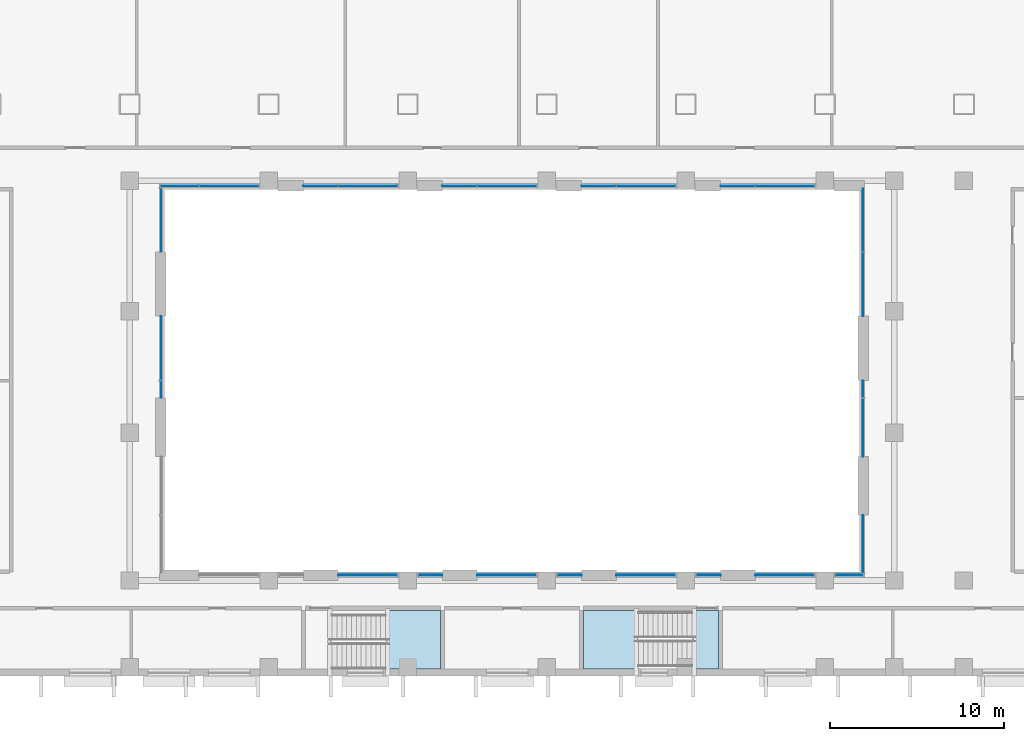
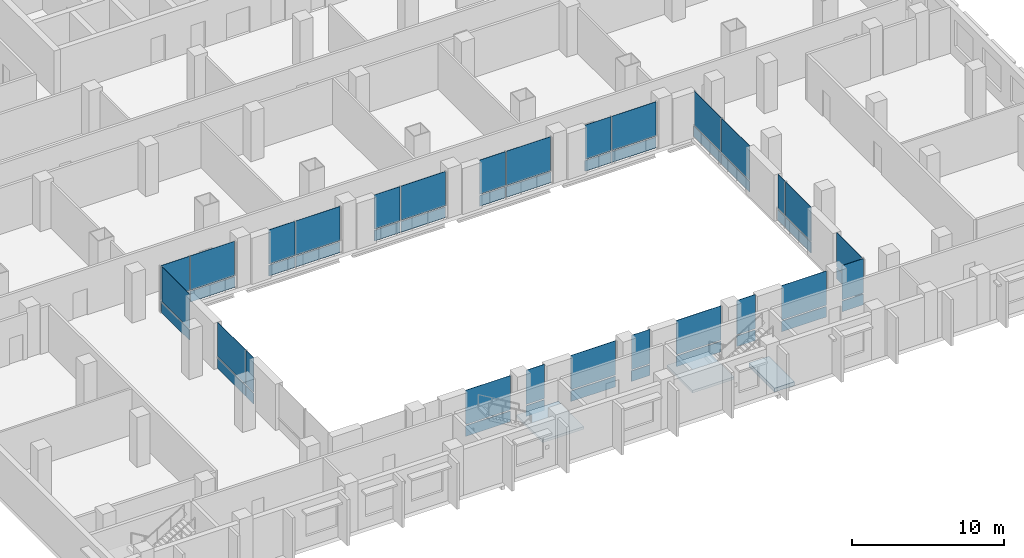
# One storey, part 6 of 25: 52 plates, 3 slabs, 20 elements without a shape of their own.
"""IFC4 building model written with IfcOpenShell, lengths in metres."""

import ifcopenshell
import ifcopenshell.guid

model = None  # the IFC model being written
_history = None  # IfcOwnerHistory: only IFC2X3 demands one
_inside = {}  # id of a spatial element -> (the spatial element, [elements in it])
_under = {}  # id of a project, library or spatial element -> (it, [spatial elements below it])
_declared = {}  # id of a project -> (the project, [libraries it declares])
_typed = {}  # id of a type object -> (the type object, [elements of that type])
_made_of = {}  # id of a material, layer set ... -> (it, [elements and type objects made of it])


def new_model(schema):
    """Start an empty IFC model of exactly this schema.

    Asked for "IFC4X3", IfcOpenShell would pick the latest addendum, in which some entities
    have other attributes; the version numbers below select the first issue.
    IFC2X3 requires an IfcOwnerHistory on every rooted entity: one is made here for all.
    """
    global model, _history
    if schema == "IFC4X3":
        model = ifcopenshell.file(schema_version=(4, 3, 0, 0))
    else:
        model = ifcopenshell.file(schema=schema)
    _inside.clear()
    _under.clear()
    _declared.clear()
    _typed.clear()
    _made_of.clear()
    _history = None
    if model.schema == "IFC2X3":
        org = make("IfcOrganization", Name="unknown")
        user = make(
            "IfcPersonAndOrganization",
            ThePerson=make("IfcPerson", FamilyName="unknown"),
            TheOrganization=org,
        )
        app = make(
            "IfcApplication",
            ApplicationDeveloper=org,
            Version="unknown",
            ApplicationFullName="unknown",
            ApplicationIdentifier="unknown",
        )
        _history = make(
            "IfcOwnerHistory",
            OwningUser=user,
            OwningApplication=app,
            ChangeAction="ADDED",
            CreationDate=0,
        )
    return model


def make(cls, **values):
    """One entity of the class cls with the attributes given. An attribute that is None is left unset."""
    return model.create_entity(
        cls, **{name: value for name, value in values.items() if value is not None}
    )


def rooted(cls, **values):
    """An entity with a GlobalId (a new one), such as an element, a storey or a relation."""
    return make(cls, GlobalId=ifcopenshell.guid.new(), OwnerHistory=_history, **values)


def si_unit(unit_type, name, prefix=None):
    """IfcSIUnit, for example si_unit("LENGTHUNIT", "METRE", prefix="MILLI")."""
    return make("IfcSIUnit", UnitType=unit_type, Prefix=prefix, Name=name)


def assignment(units):
    """IfcUnitAssignment: the units of a project."""
    return None if units is None else make("IfcUnitAssignment", Units=units)


def point(xyz):
    """IfcCartesianPoint."""
    return None if xyz is None else make("IfcCartesianPoint", Coordinates=xyz)


def direction(xyz):
    """IfcDirection."""
    return None if xyz is None else make("IfcDirection", DirectionRatios=xyz)


def frame(location, z_axis=None, x_axis=None):
    """IfcAxis2Placement3D, a coordinate frame: its origin and axes. An axis left out is left unset."""
    return make(
        "IfcAxis2Placement3D",
        Location=point(location),
        Axis=direction(z_axis),
        RefDirection=direction(x_axis),
    )


def frame_2d(location, x_axis=None):
    """IfcAxis2Placement2D, a coordinate frame in the plane: its origin and x axis."""
    return make(
        "IfcAxis2Placement2D", Location=point(location), RefDirection=direction(x_axis)
    )


def origin():
    """The frame at (0, 0, 0) with its axes left unset."""
    return frame((0.0, 0.0, 0.0))


def origin_2d():
    """The frame at (0, 0) in the plane with its x axis left unset."""
    return frame_2d((0.0, 0.0))


def place(relative_to, where):
    """IfcLocalPlacement: puts the frame where relative to a parent placement (None: the world)."""
    return make(
        "IfcLocalPlacement", PlacementRelTo=relative_to, RelativePlacement=where
    )


def context(
    kind, dimensions, precision=None, world=None, true_north=None, identifier=None
):
    """IfcGeometricRepresentationContext, for example the 3D "Model" context."""
    return make(
        "IfcGeometricRepresentationContext",
        ContextIdentifier=identifier,
        ContextType=kind,
        CoordinateSpaceDimension=dimensions,
        Precision=precision,
        WorldCoordinateSystem=world,
        TrueNorth=true_north,
    )


def subcontext(parent, identifier, kind, view, scale=None):
    """IfcGeometricRepresentationSubContext, for example "Body" below "Model"."""
    return make(
        "IfcGeometricRepresentationSubContext",
        ContextIdentifier=identifier,
        ContextType=kind,
        ParentContext=parent,
        TargetScale=scale,
        TargetView=view,
    )


def project(units=None, contexts=None):
    """IfcProject with its units and contexts."""
    return rooted(
        "IfcProject",
        Name="project",
        RepresentationContexts=contexts,
        UnitsInContext=assignment(units),
    )


def spatial(cls, under=None, at=None, **own):
    """A site, building, storey or space (cls), placed at a placement, below another one or the project."""
    s = rooted(cls, ObjectPlacement=at, **own)
    if under is not None:
        _under.setdefault(under.id(), (under, []))[1].append(s)
    return s


def polyline(points):
    """IfcPolyline through the points."""
    return make("IfcPolyline", Points=[point(p) for p in points])


def profile(cls, at=None, kind="AREA", **sizes):
    """A parametric profile (cls). Its sizes go by their IFC names, for example OverallWidth=200.0."""
    return make(cls, ProfileType=kind, Position=at, **sizes)


def rectangle(**sizes):
    """IfcRectangleProfileDef."""
    return profile("IfcRectangleProfileDef", **sizes)


def outline(outer, holes=None, kind="AREA"):
    """IfcArbitraryClosedProfileDef: a profile drawn as a closed curve; with holes, ...WithVoids."""
    if holes is None:
        return make("IfcArbitraryClosedProfileDef", ProfileType=kind, OuterCurve=outer)
    return make(
        "IfcArbitraryProfileDefWithVoids",
        ProfileType=kind,
        OuterCurve=outer,
        InnerCurves=holes,
    )


def extrude(swept, where, along, depth):
    """IfcExtrudedAreaSolid: the profile swept, set in the frame where, extruded along a direction by depth."""
    return make(
        "IfcExtrudedAreaSolid",
        SweptArea=swept,
        Position=where,
        ExtrudedDirection=direction(along),
        Depth=depth,
    )


def shape(context_of_items, identifier, shape_type, items):
    """IfcShapeRepresentation: the items that make up one representation, for example the "Body"."""
    return make(
        "IfcShapeRepresentation",
        ContextOfItems=context_of_items,
        RepresentationIdentifier=identifier,
        RepresentationType=shape_type,
        Items=items,
    )


def material(Name=None, Category=None):
    """IfcMaterial."""
    return make("IfcMaterial", Name=Name, Category=Category)


def layer(
    of_material, thickness, ventilated=None, Name=None, Category=None, Priority=None
):
    """IfcMaterialLayer: one layer of a wall or slab, of a material (None: an air gap)."""
    return make(
        "IfcMaterialLayer",
        Material=of_material,
        LayerThickness=thickness,
        IsVentilated=ventilated,
        Name=Name,
        Category=Category,
        Priority=Priority,
    )


def layer_set(layers, Name=None):
    """IfcMaterialLayerSet."""
    return make("IfcMaterialLayerSet", MaterialLayers=layers, LayerSetName=Name)


def made_of(thing, what):
    """Note that an element or type object is made of a material, layer set ...; save() writes the relation."""
    if what is not None:
        _made_of.setdefault(what.id(), (what, []))[1].append(thing)
    return thing


def type_object(cls, material=None, **own):
    """A type object (cls), such as IfcWallType, which elements share."""
    return made_of(rooted(cls, **own), material)


def element(
    cls,
    number,
    at=None,
    inside=None,
    cuts=None,
    type_object=None,
    material=None,
    context=None,
    identifier="Body",
    shape_type=None,
    held_by="IfcProductDefinitionShape",
    body=None,
    shapes=None,
    **own,
):
    """One element of the class cls, such as IfcWall. Its Tag is "e" and its number.

    at: its placement. inside: the storey or other place that contains it. cuts: it is an
    opening in that element (IfcRelVoidsElement). A single representation is given by context,
    identifier, shape_type and body (its items); several are given by shapes. held_by: the class
    of the entity that holds the representations. save() writes the other relations.
    """
    e = rooted(cls, Tag="e%d" % number, ObjectPlacement=at, **own)
    if body is not None:
        shapes = [shape(context, identifier, shape_type, body)]
    if shapes is not None:
        e.Representation = make(held_by, Representations=shapes)
    if inside is not None:
        _inside.setdefault(inside.id(), (inside, []))[1].append(e)
    if cuts is not None:
        rooted(
            "IfcRelVoidsElement", RelatingBuildingElement=cuts, RelatedOpeningElement=e
        )
    if type_object is not None:
        _typed.setdefault(type_object.id(), (type_object, []))[1].append(e)
    return made_of(e, material)


def aggregate(whole, parts):
    """IfcRelAggregates: a whole, such as a stair, and the parts it consists of."""
    return rooted("IfcRelAggregates", RelatingObject=whole, RelatedObjects=parts)


def save(model, path):
    """Write the relations noted so far, then the file.

    IfcRelAggregates (storeys below a building ...), IfcRelContainedInSpatialStructure (elements
    in a storey), IfcRelDefinesByType, IfcRelAssociatesMaterial and IfcRelDeclares: one each for
    every whole, place, type object, material and project.
    """
    for whole, parts in _under.values():
        aggregate(whole, parts)
    for where, things in _inside.values():
        rooted(
            "IfcRelContainedInSpatialStructure",
            RelatedElements=things,
            RelatingStructure=where,
        )
    for kind, things in _typed.values():
        rooted("IfcRelDefinesByType", RelatedObjects=things, RelatingType=kind)
    for what, things in _made_of.values():
        rooted("IfcRelAssociatesMaterial", RelatedObjects=things, RelatingMaterial=what)
    for by, libraries in _declared.values():
        rooted("IfcRelDeclares", RelatingContext=by, RelatedDefinitions=libraries)
    model.write(path)


model = new_model("IFC4")

# Units and contexts
model_context = context("Model", 3, precision=1e-05, world=origin(), true_north=direction((0.0, 1.0)))
body_context = subcontext(model_context, "Body", "Model", "MODEL_VIEW")
ifc_project = project(units=[si_unit("LENGTHUNIT", "METRE"), si_unit("AREAUNIT", "SQUARE_METRE"), si_unit("VOLUMEUNIT", "CUBIC_METRE"), si_unit("PLANEANGLEUNIT", "RADIAN"), si_unit("MASSUNIT", "GRAM", prefix="KILO")], contexts=[model_context])

# Site, building, storey
site_placement = place(None, origin())
site = spatial("IfcSite", under=ifc_project, at=site_placement, CompositionType="ELEMENT")
building_placement = place(site_placement, origin())
building = spatial("IfcBuilding", under=site, at=building_placement, Name="Vidyagriha Tower", CompositionType="ELEMENT")
storey_placement = place(building_placement, frame((0.0, 0.0, 10.0)))
storey = spatial("IfcBuildingStorey", under=building, at=storey_placement, Name="L02", CompositionType="ELEMENT", Elevation=10.0)

# Curtain wall, plate
ifc_material_1 = material(Name="Aluminium and glass curtain wall", Category="aluminium")
curtain_wall_type = type_object("IfcCurtainWallType", Name="Atrium screen curtain wall", PredefinedType="USERDEFINED", material=ifc_material_1)
curtain_wall_1_placement = place(storey_placement, origin())
curtain_wall_1 = element("IfcCurtainWall", 1, at=curtain_wall_1_placement, inside=storey, type_object=curtain_wall_type, Name="CW6 atrium screen", ObjectType="UNITISED", PredefinedType="USERDEFINED")
ifc_material_2 = material(Name="Glass dark ceramic-fritted spandrel", Category="glass")
ifc_layer_1 = layer(ifc_material_2, 0.0400390625)
ifc_layer_set_1 = layer_set([ifc_layer_1], Name="Glass dark ceramic-fritted spandrel")
plate_type_1 = type_object("IfcPlateType", Name="Ceramic-fritted spandrel panel", PredefinedType="CURTAIN_PANEL", material=ifc_layer_set_1)
plate_1_placement = place(storey_placement, frame((19.405029296875, -44.199951171875, 0.0), z_axis=(0.0, 0.0, 1.0), x_axis=(-1.0, 0.0, 0.0)))
plate_1 = element("IfcPlate", 2, at=plate_1_placement, type_object=plate_type_1, Name="CW6 panel 1.1", PredefinedType="CURTAIN_PANEL", context=body_context, shape_type="SweptSolid", body=[
    extrude(rectangle(XDim=1.610107421875, YDim=0.0400390625, at=origin_2d()), origin(), (0.0, 0.0, 1.0), 0.85009765625),
])

curtain_wall_2_placement = place(storey_placement, origin())
curtain_wall_2 = element("IfcCurtainWall", 3, at=curtain_wall_2_placement, inside=storey, type_object=curtain_wall_type, Name="CW6 atrium screen", ObjectType="UNITISED", PredefinedType="USERDEFINED")
plate_2_placement = place(storey_placement, frame((15.699951171875, -44.199951171875, 0.0), z_axis=(0.0, 0.0, 1.0), x_axis=(-1.0, 0.0, 0.0)))
plate_2 = element("IfcPlate", 4, at=plate_2_placement, type_object=plate_type_1, Name="CW6 panel 1.1", PredefinedType="CURTAIN_PANEL", context=body_context, shape_type="SweptSolid", body=[
    extrude(rectangle(XDim=3.39990234375, YDim=0.0400390625, at=origin_2d()), origin(), (0.0, 0.0, 1.0), 0.85009765625),
])

curtain_wall_3_placement = place(storey_placement, origin())
curtain_wall_3 = element("IfcCurtainWall", 5, at=curtain_wall_3_placement, inside=storey, type_object=curtain_wall_type, Name="CW6 atrium screen", ObjectType="UNITISED", PredefinedType="USERDEFINED")
plate_3_placement = place(storey_placement, frame((11.300048828125, -44.199951171875, 0.0), z_axis=(0.0, 0.0, 1.0), x_axis=(-1.0, 0.0, 0.0)))
plate_3 = element("IfcPlate", 6, at=plate_3_placement, type_object=plate_type_1, Name="CW6 panel 1.1", PredefinedType="CURTAIN_PANEL", context=body_context, shape_type="SweptSolid", body=[
    extrude(rectangle(XDim=1.39990234375, YDim=0.0400390625, at=origin_2d()), origin(), (0.0, 0.0, 1.0), 0.85009765625),
])

curtain_wall_4_placement = place(storey_placement, origin())
curtain_wall_4 = element("IfcCurtainWall", 7, at=curtain_wall_4_placement, inside=storey, type_object=curtain_wall_type, Name="CW6 atrium screen", ObjectType="UNITISED", PredefinedType="USERDEFINED")
plate_4_placement = place(storey_placement, frame((7.699951171875, -44.199951171875, 0.0), z_axis=(0.0, 0.0, 1.0), x_axis=(-1.0, 0.0, 0.0)))
plate_4 = element("IfcPlate", 8, at=plate_4_placement, type_object=plate_type_1, Name="CW6 panel 1.1", PredefinedType="CURTAIN_PANEL", context=body_context, shape_type="SweptSolid", body=[
    extrude(rectangle(XDim=3.39990234375, YDim=0.0400390625, at=origin_2d()), origin(), (0.0, 0.0, 1.0), 0.85009765625),
])

curtain_wall_5_placement = place(storey_placement, origin())
curtain_wall_5 = element("IfcCurtainWall", 9, at=curtain_wall_5_placement, inside=storey, type_object=curtain_wall_type, Name="CW6 atrium screen", ObjectType="UNITISED", PredefinedType="USERDEFINED")
plate_5_placement = place(storey_placement, frame((3.300048828125, -44.199951171875, 0.0), z_axis=(0.0, 0.0, 1.0), x_axis=(-1.0, 0.0, 0.0)))
plate_5 = element("IfcPlate", 10, at=plate_5_placement, type_object=plate_type_1, Name="CW6 panel 1.1", PredefinedType="CURTAIN_PANEL", context=body_context, shape_type="SweptSolid", body=[
    extrude(rectangle(XDim=1.39990234375, YDim=0.0400390625, at=origin_2d()), origin(), (0.0, 0.0, 1.0), 0.85009765625),
])

curtain_wall_6_placement = place(storey_placement, origin())
curtain_wall_6 = element("IfcCurtainWall", 11, at=curtain_wall_6_placement, inside=storey, type_object=curtain_wall_type, Name="CW6 atrium screen", ObjectType="UNITISED", PredefinedType="USERDEFINED")
plate_6_placement = place(storey_placement, frame((-0.300048828125, -44.199951171875, 0.0), z_axis=(0.0, 0.0, 1.0), x_axis=(-1.0, 0.0, 0.0)))
plate_6 = element("IfcPlate", 12, at=plate_6_placement, type_object=plate_type_1, Name="CW6 panel 1.1", PredefinedType="CURTAIN_PANEL", context=body_context, shape_type="SweptSolid", body=[
    extrude(rectangle(XDim=3.39990234375, YDim=0.0400390625, at=origin_2d()), origin(), (0.0, 0.0, 1.0), 0.85009765625),
])

curtain_wall_7_placement = place(storey_placement, origin())
curtain_wall_7 = element("IfcCurtainWall", 13, at=curtain_wall_7_placement, inside=storey, type_object=curtain_wall_type, Name="CW6 atrium screen", ObjectType="UNITISED", PredefinedType="USERDEFINED")
plate_7_placement = place(storey_placement, frame((-4.699951171875, -44.199951171875, 0.0), z_axis=(0.0, 0.0, 1.0), x_axis=(-1.0, 0.0, 0.0)))
plate_7 = element("IfcPlate", 14, at=plate_7_placement, type_object=plate_type_1, Name="CW6 panel 1.1", PredefinedType="CURTAIN_PANEL", context=body_context, shape_type="SweptSolid", body=[
    extrude(rectangle(XDim=1.39990234375, YDim=0.0400390625, at=origin_2d()), origin(), (0.0, 0.0, 1.0), 0.85009765625),
])

curtain_wall_8_placement = place(storey_placement, origin())
curtain_wall_8 = element("IfcCurtainWall", 15, at=curtain_wall_8_placement, inside=storey, type_object=curtain_wall_type, Name="CW6 atrium screen", ObjectType="UNITISED", PredefinedType="USERDEFINED")
plate_8_placement = place(storey_placement, frame((-8.300048828125, -44.199951171875, 0.0), z_axis=(0.0, 0.0, 1.0), x_axis=(-1.0, 0.0, 0.0)))
plate_8 = element("IfcPlate", 16, at=plate_8_placement, type_object=plate_type_1, Name="CW6 panel 1.1", PredefinedType="CURTAIN_PANEL", context=body_context, shape_type="SweptSolid", body=[
    extrude(rectangle(XDim=3.39990234375, YDim=0.0400390625, at=origin_2d()), origin(), (0.0, 0.0, 1.0), 0.85009765625),
])

# Curtain wall, plates
curtain_wall_9_placement = place(storey_placement, origin())
curtain_wall_9 = element("IfcCurtainWall", 17, at=curtain_wall_9_placement, inside=storey, type_object=curtain_wall_type, Name="CW6 atrium screen", ObjectType="UNITISED", PredefinedType="USERDEFINED")
plate_9_placement = place(storey_placement, frame((-20.199951171875, -33.517578125, 0.0), z_axis=(0.0, 0.0, 1.0), x_axis=(0.0, 1.0, 0.0)))
plate_9 = element("IfcPlate", 18, at=plate_9_placement, type_object=plate_type_1, Name="CW6 panel 1.1", PredefinedType="CURTAIN_PANEL", context=body_context, shape_type="SweptSolid", body=[
    extrude(rectangle(XDim=0.965087890625, YDim=0.0400390625, at=origin_2d()), origin(), (0.0, 0.0, 1.0), 0.85009765625),
])
plate_10_placement = place(storey_placement, frame((-20.199951171875, -31.129150390625, 0.0), z_axis=(0.0, 0.0, 1.0), x_axis=(0.0, 1.0, 0.0)))
plate_10 = element("IfcPlate", 19, at=plate_10_placement, type_object=plate_type_1, Name="CW6 panel 2.1", PredefinedType="CURTAIN_PANEL", context=body_context, shape_type="SweptSolid", body=[
    extrude(rectangle(XDim=3.671630859375, YDim=0.0400390625, at=origin_2d()), origin(), (0.0, 0.0, 1.0), 0.85009765625),
])

# Curtain wall, plate
curtain_wall_10_placement = place(storey_placement, origin())
curtain_wall_10 = element("IfcCurtainWall", 20, at=curtain_wall_10_placement, inside=storey, type_object=curtain_wall_type, Name="CW6 atrium screen", ObjectType="UNITISED", PredefinedType="USERDEFINED")
plate_11_placement = place(storey_placement, frame((-20.199951171875, -23.768310546875, 0.0), z_axis=(0.0, 0.0, 1.0), x_axis=(0.0, 1.0, 0.0)))
plate_11 = element("IfcPlate", 21, at=plate_11_placement, type_object=plate_type_1, Name="CW6 panel 1.1", PredefinedType="CURTAIN_PANEL", context=body_context, shape_type="SweptSolid", body=[
    extrude(rectangle(XDim=3.63671875, YDim=0.0400390625, at=origin_2d()), origin(), (0.0, 0.0, 1.0), 0.85009765625),
])

# Curtain wall, plates
curtain_wall_11_placement = place(storey_placement, origin())
curtain_wall_11 = element("IfcCurtainWall", 22, at=curtain_wall_11_placement, inside=storey, type_object=curtain_wall_type, Name="CW6 atrium screen", ObjectType="UNITISED", PredefinedType="USERDEFINED")
plate_12_placement = place(storey_placement, frame((-19.12255859375, -21.800048828125, 0.0)))
plate_12 = element("IfcPlate", 23, at=plate_12_placement, type_object=plate_type_1, Name="CW6 panel 1.1", PredefinedType="CURTAIN_PANEL", context=body_context, shape_type="SweptSolid", body=[
    extrude(rectangle(XDim=2.175048828125, YDim=0.0400390625, at=origin_2d()), origin(), (0.0, 0.0, 1.0), 0.85009765625),
])
plate_13_placement = place(storey_placement, frame((-16.282470703125, -21.800048828125, 0.0)))
plate_13 = element("IfcPlate", 24, at=plate_13_placement, type_object=plate_type_1, Name="CW6 panel 2.1", PredefinedType="CURTAIN_PANEL", context=body_context, shape_type="SweptSolid", body=[
    extrude(rectangle(XDim=3.364990234375, YDim=0.0400390625, at=origin_2d()), origin(), (0.0, 0.0, 1.0), 0.85009765625),
])

curtain_wall_12_placement = place(storey_placement, origin())
curtain_wall_12 = element("IfcCurtainWall", 25, at=curtain_wall_12_placement, inside=storey, type_object=curtain_wall_type, Name="CW6 atrium screen", ObjectType="UNITISED", PredefinedType="USERDEFINED")
plate_14_placement = place(storey_placement, frame((-11.017578125, -21.800048828125, 0.0)))
plate_14 = element("IfcPlate", 26, at=plate_14_placement, type_object=plate_type_1, Name="CW6 panel 1.1", PredefinedType="CURTAIN_PANEL", context=body_context, shape_type="SweptSolid", body=[
    extrude(rectangle(XDim=1.965087890625, YDim=0.0400390625, at=origin_2d()), origin(), (0.0, 0.0, 1.0), 0.85009765625),
])
plate_15_placement = place(storey_placement, frame((-8.282470703125, -21.800048828125, 0.0)))
plate_15 = element("IfcPlate", 27, at=plate_15_placement, type_object=plate_type_1, Name="CW6 panel 2.1", PredefinedType="CURTAIN_PANEL", context=body_context, shape_type="SweptSolid", body=[
    extrude(rectangle(XDim=3.364990234375, YDim=0.0400390625, at=origin_2d()), origin(), (0.0, 0.0, 1.0), 0.85009765625),
])

curtain_wall_13_placement = place(storey_placement, origin())
curtain_wall_13 = element("IfcCurtainWall", 28, at=curtain_wall_13_placement, inside=storey, type_object=curtain_wall_type, Name="CW6 atrium screen", ObjectType="UNITISED", PredefinedType="USERDEFINED")
plate_16_placement = place(storey_placement, frame((-3.017578125, -21.800048828125, 0.0)))
plate_16 = element("IfcPlate", 29, at=plate_16_placement, type_object=plate_type_1, Name="CW6 panel 1.1", PredefinedType="CURTAIN_PANEL", context=body_context, shape_type="SweptSolid", body=[
    extrude(rectangle(XDim=1.965087890625, YDim=0.0400390625, at=origin_2d()), origin(), (0.0, 0.0, 1.0), 0.85009765625),
])
plate_17_placement = place(storey_placement, frame((-0.282470703125, -21.800048828125, 0.0)))
plate_17 = element("IfcPlate", 30, at=plate_17_placement, type_object=plate_type_1, Name="CW6 panel 2.1", PredefinedType="CURTAIN_PANEL", context=body_context, shape_type="SweptSolid", body=[
    extrude(rectangle(XDim=3.364990234375, YDim=0.0400390625, at=origin_2d()), origin(), (0.0, 0.0, 1.0), 0.85009765625),
])

curtain_wall_14_placement = place(storey_placement, origin())
curtain_wall_14 = element("IfcCurtainWall", 31, at=curtain_wall_14_placement, inside=storey, type_object=curtain_wall_type, Name="CW6 atrium screen", ObjectType="UNITISED", PredefinedType="USERDEFINED")
plate_18_placement = place(storey_placement, frame((4.982421875, -21.800048828125, 0.0)))
plate_18 = element("IfcPlate", 32, at=plate_18_placement, type_object=plate_type_1, Name="CW6 panel 1.1", PredefinedType="CURTAIN_PANEL", context=body_context, shape_type="SweptSolid", body=[
    extrude(rectangle(XDim=1.965087890625, YDim=0.0400390625, at=origin_2d()), origin(), (0.0, 0.0, 1.0), 0.85009765625),
])
plate_19_placement = place(storey_placement, frame((7.717529296875, -21.800048828125, 0.0)))
plate_19 = element("IfcPlate", 33, at=plate_19_placement, type_object=plate_type_1, Name="CW6 panel 2.1", PredefinedType="CURTAIN_PANEL", context=body_context, shape_type="SweptSolid", body=[
    extrude(rectangle(XDim=3.364990234375, YDim=0.0400390625, at=origin_2d()), origin(), (0.0, 0.0, 1.0), 0.85009765625),
])

curtain_wall_15_placement = place(storey_placement, origin())
curtain_wall_15 = element("IfcCurtainWall", 34, at=curtain_wall_15_placement, inside=storey, type_object=curtain_wall_type, Name="CW6 atrium screen", ObjectType="UNITISED", PredefinedType="USERDEFINED")
plate_20_placement = place(storey_placement, frame((12.982421875, -21.800048828125, 0.0)))
plate_20 = element("IfcPlate", 35, at=plate_20_placement, type_object=plate_type_1, Name="CW6 panel 1.1", PredefinedType="CURTAIN_PANEL", context=body_context, shape_type="SweptSolid", body=[
    extrude(rectangle(XDim=1.965087890625, YDim=0.0400390625, at=origin_2d()), origin(), (0.0, 0.0, 1.0), 0.85009765625),
])
plate_21_placement = place(storey_placement, frame((15.717529296875, -21.800048828125, 0.0)))
plate_21 = element("IfcPlate", 36, at=plate_21_placement, type_object=plate_type_1, Name="CW6 panel 2.1", PredefinedType="CURTAIN_PANEL", context=body_context, shape_type="SweptSolid", body=[
    extrude(rectangle(XDim=3.364990234375, YDim=0.0400390625, at=origin_2d()), origin(), (0.0, 0.0, 1.0), 0.85009765625),
])

curtain_wall_16_placement = place(storey_placement, origin())
curtain_wall_16 = element("IfcCurtainWall", 37, at=curtain_wall_16_placement, inside=storey, type_object=curtain_wall_type, Name="CW6 atrium screen", ObjectType="UNITISED", PredefinedType="USERDEFINED")
plate_22_placement = place(storey_placement, frame((20.199951171875, -23.750732421875, 0.0), z_axis=(0.0, 0.0, 1.0), x_axis=(0.0, -1.0, 0.0)))
plate_22 = element("IfcPlate", 38, at=plate_22_placement, type_object=plate_type_1, Name="CW6 panel 1.1", PredefinedType="CURTAIN_PANEL", context=body_context, shape_type="SweptSolid", body=[
    extrude(rectangle(XDim=3.601806640625, YDim=0.0400390625, at=origin_2d()), origin(), (0.0, 0.0, 1.0), 0.85009765625),
])
plate_23_placement = place(storey_placement, frame((20.199951171875, -27.45751953125, 0.0), z_axis=(0.0, 0.0, 1.0), x_axis=(0.0, -1.0, 0.0)))
plate_23 = element("IfcPlate", 39, at=plate_23_placement, type_object=plate_type_1, Name="CW6 panel 2.1", PredefinedType="CURTAIN_PANEL", context=body_context, shape_type="SweptSolid", body=[
    extrude(rectangle(XDim=3.671630859375, YDim=0.0400390625, at=origin_2d()), origin(), (0.0, 0.0, 1.0), 0.85009765625),
])

curtain_wall_17_placement = place(storey_placement, origin())
curtain_wall_17 = element("IfcCurtainWall", 40, at=curtain_wall_17_placement, inside=storey, type_object=curtain_wall_type, Name="CW6 atrium screen", ObjectType="UNITISED", PredefinedType="USERDEFINED")
plate_24_placement = place(storey_placement, frame((20.199951171875, -33.482421875, 0.0), z_axis=(0.0, 0.0, 1.0), x_axis=(0.0, -1.0, 0.0)))
plate_24 = element("IfcPlate", 41, at=plate_24_placement, type_object=plate_type_1, Name="CW6 panel 1.1", PredefinedType="CURTAIN_PANEL", context=body_context, shape_type="SweptSolid", body=[
    extrude(rectangle(XDim=0.965087890625, YDim=0.0400390625, at=origin_2d()), origin(), (0.0, 0.0, 1.0), 0.85009765625),
])
plate_25_placement = place(storey_placement, frame((20.199951171875, -35.7041015625, 0.0), z_axis=(0.0, 0.0, 1.0), x_axis=(0.0, -1.0, 0.0)))
plate_25 = element("IfcPlate", 42, at=plate_25_placement, type_object=plate_type_1, Name="CW6 panel 2.1", PredefinedType="CURTAIN_PANEL", context=body_context, shape_type="SweptSolid", body=[
    extrude(rectangle(XDim=3.33837890625, YDim=0.0400390625, at=origin_2d()), origin(), (0.0, 0.0, 1.0), 0.85009765625),
])

# Curtain wall, plate
curtain_wall_18_placement = place(storey_placement, origin())
curtain_wall_18 = element("IfcCurtainWall", 43, at=curtain_wall_18_placement, inside=storey, type_object=curtain_wall_type, Name="CW6 atrium screen", ObjectType="UNITISED", PredefinedType="USERDEFINED")
plate_26_placement = place(storey_placement, frame((20.199951171875, -42.3984375, 0.0), z_axis=(0.0, 0.0, 1.0), x_axis=(0.0, -1.0, 0.0)))
plate_26 = element("IfcPlate", 44, at=plate_26_placement, type_object=plate_type_1, Name="CW6 panel 1.1", PredefinedType="CURTAIN_PANEL", context=body_context, shape_type="SweptSolid", body=[
    extrude(rectangle(XDim=3.30322265625, YDim=0.0400390625, at=origin_2d()), origin(), (0.0, 0.0, 1.0), 0.85009765625),
])

# Plate
ifc_material_3 = material(Name="Glass dark ceramic-fritted", Category="glass")
ifc_layer_2 = layer(ifc_material_3, 0.028076171875)
ifc_layer_set_2 = layer_set([ifc_layer_2], Name="Glass dark ceramic-fritted")
plate_type_2 = type_object("IfcPlateType", Name="Dark ceramic-fritted vision glass panel", PredefinedType="CURTAIN_PANEL", material=ifc_layer_set_2)
plate_27_placement = place(storey_placement, frame((19.405029296875, -44.199951171875, 0.949951171875), z_axis=(0.0, 0.0, 1.0), x_axis=(-1.0, 0.0, 0.0)))
plate_27 = element("IfcPlate", 45, at=plate_27_placement, type_object=plate_type_2, Name="CW6 panel 1.2", PredefinedType="CURTAIN_PANEL", context=body_context, shape_type="SweptSolid", body=[
    extrude(rectangle(XDim=1.610107421875, YDim=0.028076171875, at=origin_2d()), origin(), (0.0, 0.0, 1.0), 2.75),
])

aggregate(curtain_wall_1, [plate_1, plate_27])

plate_28_placement = place(storey_placement, frame((15.699951171875, -44.199951171875, 0.949951171875), z_axis=(0.0, 0.0, 1.0), x_axis=(-1.0, 0.0, 0.0)))
plate_28 = element("IfcPlate", 46, at=plate_28_placement, type_object=plate_type_2, Name="CW6 panel 1.2", PredefinedType="CURTAIN_PANEL", context=body_context, shape_type="SweptSolid", body=[
    extrude(rectangle(XDim=3.39990234375, YDim=0.028076171875, at=origin_2d()), origin(), (0.0, 0.0, 1.0), 2.75),
])

aggregate(curtain_wall_2, [plate_2, plate_28])

plate_29_placement = place(storey_placement, frame((11.300048828125, -44.199951171875, 0.949951171875), z_axis=(0.0, 0.0, 1.0), x_axis=(-1.0, 0.0, 0.0)))
plate_29 = element("IfcPlate", 47, at=plate_29_placement, type_object=plate_type_2, Name="CW6 panel 1.2", PredefinedType="CURTAIN_PANEL", context=body_context, shape_type="SweptSolid", body=[
    extrude(rectangle(XDim=1.39990234375, YDim=0.028076171875, at=origin_2d()), origin(), (0.0, 0.0, 1.0), 2.75),
])

aggregate(curtain_wall_3, [plate_3, plate_29])

plate_30_placement = place(storey_placement, frame((7.699951171875, -44.199951171875, 0.949951171875), z_axis=(0.0, 0.0, 1.0), x_axis=(-1.0, 0.0, 0.0)))
plate_30 = element("IfcPlate", 48, at=plate_30_placement, type_object=plate_type_2, Name="CW6 panel 1.2", PredefinedType="CURTAIN_PANEL", context=body_context, shape_type="SweptSolid", body=[
    extrude(rectangle(XDim=3.39990234375, YDim=0.028076171875, at=origin_2d()), origin(), (0.0, 0.0, 1.0), 2.75),
])

aggregate(curtain_wall_4, [plate_4, plate_30])

plate_31_placement = place(storey_placement, frame((3.300048828125, -44.199951171875, 0.949951171875), z_axis=(0.0, 0.0, 1.0), x_axis=(-1.0, 0.0, 0.0)))
plate_31 = element("IfcPlate", 49, at=plate_31_placement, type_object=plate_type_2, Name="CW6 panel 1.2", PredefinedType="CURTAIN_PANEL", context=body_context, shape_type="SweptSolid", body=[
    extrude(rectangle(XDim=1.39990234375, YDim=0.028076171875, at=origin_2d()), origin(), (0.0, 0.0, 1.0), 2.75),
])

aggregate(curtain_wall_5, [plate_5, plate_31])

plate_32_placement = place(storey_placement, frame((-0.300048828125, -44.199951171875, 0.949951171875), z_axis=(0.0, 0.0, 1.0), x_axis=(-1.0, 0.0, 0.0)))
plate_32 = element("IfcPlate", 50, at=plate_32_placement, type_object=plate_type_2, Name="CW6 panel 1.2", PredefinedType="CURTAIN_PANEL", context=body_context, shape_type="SweptSolid", body=[
    extrude(rectangle(XDim=3.39990234375, YDim=0.028076171875, at=origin_2d()), origin(), (0.0, 0.0, 1.0), 2.75),
])

aggregate(curtain_wall_6, [plate_6, plate_32])

plate_33_placement = place(storey_placement, frame((-4.699951171875, -44.199951171875, 0.949951171875), z_axis=(0.0, 0.0, 1.0), x_axis=(-1.0, 0.0, 0.0)))
plate_33 = element("IfcPlate", 51, at=plate_33_placement, type_object=plate_type_2, Name="CW6 panel 1.2", PredefinedType="CURTAIN_PANEL", context=body_context, shape_type="SweptSolid", body=[
    extrude(rectangle(XDim=1.39990234375, YDim=0.028076171875, at=origin_2d()), origin(), (0.0, 0.0, 1.0), 2.75),
])

aggregate(curtain_wall_7, [plate_7, plate_33])

plate_34_placement = place(storey_placement, frame((-8.300048828125, -44.199951171875, 0.949951171875), z_axis=(0.0, 0.0, 1.0), x_axis=(-1.0, 0.0, 0.0)))
plate_34 = element("IfcPlate", 52, at=plate_34_placement, type_object=plate_type_2, Name="CW6 panel 1.2", PredefinedType="CURTAIN_PANEL", context=body_context, shape_type="SweptSolid", body=[
    extrude(rectangle(XDim=3.39990234375, YDim=0.028076171875, at=origin_2d()), origin(), (0.0, 0.0, 1.0), 2.75),
])

aggregate(curtain_wall_8, [plate_8, plate_34])

plate_35_placement = place(storey_placement, frame((-20.199951171875, -33.517578125, 0.949951171875), z_axis=(0.0, 0.0, 1.0), x_axis=(0.0, 1.0, 0.0)))
plate_35 = element("IfcPlate", 53, at=plate_35_placement, type_object=plate_type_2, Name="CW6 panel 1.2", PredefinedType="CURTAIN_PANEL", context=body_context, shape_type="SweptSolid", body=[
    extrude(rectangle(XDim=0.965087890625, YDim=0.028076171875, at=origin_2d()), origin(), (0.0, 0.0, 1.0), 2.75),
])

plate_36_placement = place(storey_placement, frame((-20.199951171875, -31.129150390625, 0.949951171875), z_axis=(0.0, 0.0, 1.0), x_axis=(0.0, 1.0, 0.0)))
plate_36 = element("IfcPlate", 54, at=plate_36_placement, type_object=plate_type_2, Name="CW6 panel 2.2", PredefinedType="CURTAIN_PANEL", context=body_context, shape_type="SweptSolid", body=[
    extrude(rectangle(XDim=3.671630859375, YDim=0.028076171875, at=origin_2d()), origin(), (0.0, 0.0, 1.0), 2.75),
])

aggregate(curtain_wall_9, [plate_9, plate_35, plate_10, plate_36])

plate_37_placement = place(storey_placement, frame((-20.199951171875, -23.768310546875, 0.949951171875), z_axis=(0.0, 0.0, 1.0), x_axis=(0.0, 1.0, 0.0)))
plate_37 = element("IfcPlate", 55, at=plate_37_placement, type_object=plate_type_2, Name="CW6 panel 1.2", PredefinedType="CURTAIN_PANEL", context=body_context, shape_type="SweptSolid", body=[
    extrude(rectangle(XDim=3.63671875, YDim=0.028076171875, at=origin_2d()), origin(), (0.0, 0.0, 1.0), 2.75),
])

aggregate(curtain_wall_10, [plate_11, plate_37])

plate_38_placement = place(storey_placement, frame((-19.12255859375, -21.800048828125, 0.949951171875)))
plate_38 = element("IfcPlate", 56, at=plate_38_placement, type_object=plate_type_2, Name="CW6 panel 1.2", PredefinedType="CURTAIN_PANEL", context=body_context, shape_type="SweptSolid", body=[
    extrude(rectangle(XDim=2.175048828125, YDim=0.028076171875, at=origin_2d()), origin(), (0.0, 0.0, 1.0), 2.75),
])

plate_39_placement = place(storey_placement, frame((-16.282470703125, -21.800048828125, 0.949951171875)))
plate_39 = element("IfcPlate", 57, at=plate_39_placement, type_object=plate_type_2, Name="CW6 panel 2.2", PredefinedType="CURTAIN_PANEL", context=body_context, shape_type="SweptSolid", body=[
    extrude(rectangle(XDim=3.364990234375, YDim=0.028076171875, at=origin_2d()), origin(), (0.0, 0.0, 1.0), 2.75),
])

aggregate(curtain_wall_11, [plate_12, plate_38, plate_13, plate_39])

plate_40_placement = place(storey_placement, frame((-11.017578125, -21.800048828125, 0.949951171875)))
plate_40 = element("IfcPlate", 58, at=plate_40_placement, type_object=plate_type_2, Name="CW6 panel 1.2", PredefinedType="CURTAIN_PANEL", context=body_context, shape_type="SweptSolid", body=[
    extrude(rectangle(XDim=1.965087890625, YDim=0.028076171875, at=origin_2d()), origin(), (0.0, 0.0, 1.0), 2.75),
])

plate_41_placement = place(storey_placement, frame((-8.282470703125, -21.800048828125, 0.949951171875)))
plate_41 = element("IfcPlate", 59, at=plate_41_placement, type_object=plate_type_2, Name="CW6 panel 2.2", PredefinedType="CURTAIN_PANEL", context=body_context, shape_type="SweptSolid", body=[
    extrude(rectangle(XDim=3.364990234375, YDim=0.028076171875, at=origin_2d()), origin(), (0.0, 0.0, 1.0), 2.75),
])

aggregate(curtain_wall_12, [plate_14, plate_40, plate_15, plate_41])

plate_42_placement = place(storey_placement, frame((-3.017578125, -21.800048828125, 0.949951171875)))
plate_42 = element("IfcPlate", 60, at=plate_42_placement, type_object=plate_type_2, Name="CW6 panel 1.2", PredefinedType="CURTAIN_PANEL", context=body_context, shape_type="SweptSolid", body=[
    extrude(rectangle(XDim=1.965087890625, YDim=0.028076171875, at=origin_2d()), origin(), (0.0, 0.0, 1.0), 2.75),
])

plate_43_placement = place(storey_placement, frame((-0.282470703125, -21.800048828125, 0.949951171875)))
plate_43 = element("IfcPlate", 61, at=plate_43_placement, type_object=plate_type_2, Name="CW6 panel 2.2", PredefinedType="CURTAIN_PANEL", context=body_context, shape_type="SweptSolid", body=[
    extrude(rectangle(XDim=3.364990234375, YDim=0.028076171875, at=origin_2d()), origin(), (0.0, 0.0, 1.0), 2.75),
])

aggregate(curtain_wall_13, [plate_16, plate_42, plate_17, plate_43])

plate_44_placement = place(storey_placement, frame((4.982421875, -21.800048828125, 0.949951171875)))
plate_44 = element("IfcPlate", 62, at=plate_44_placement, type_object=plate_type_2, Name="CW6 panel 1.2", PredefinedType="CURTAIN_PANEL", context=body_context, shape_type="SweptSolid", body=[
    extrude(rectangle(XDim=1.965087890625, YDim=0.028076171875, at=origin_2d()), origin(), (0.0, 0.0, 1.0), 2.75),
])

plate_45_placement = place(storey_placement, frame((7.717529296875, -21.800048828125, 0.949951171875)))
plate_45 = element("IfcPlate", 63, at=plate_45_placement, type_object=plate_type_2, Name="CW6 panel 2.2", PredefinedType="CURTAIN_PANEL", context=body_context, shape_type="SweptSolid", body=[
    extrude(rectangle(XDim=3.364990234375, YDim=0.028076171875, at=origin_2d()), origin(), (0.0, 0.0, 1.0), 2.75),
])

aggregate(curtain_wall_14, [plate_18, plate_44, plate_19, plate_45])

plate_46_placement = place(storey_placement, frame((12.982421875, -21.800048828125, 0.949951171875)))
plate_46 = element("IfcPlate", 64, at=plate_46_placement, type_object=plate_type_2, Name="CW6 panel 1.2", PredefinedType="CURTAIN_PANEL", context=body_context, shape_type="SweptSolid", body=[
    extrude(rectangle(XDim=1.965087890625, YDim=0.028076171875, at=origin_2d()), origin(), (0.0, 0.0, 1.0), 2.75),
])

plate_47_placement = place(storey_placement, frame((15.717529296875, -21.800048828125, 0.949951171875)))
plate_47 = element("IfcPlate", 65, at=plate_47_placement, type_object=plate_type_2, Name="CW6 panel 2.2", PredefinedType="CURTAIN_PANEL", context=body_context, shape_type="SweptSolid", body=[
    extrude(rectangle(XDim=3.364990234375, YDim=0.028076171875, at=origin_2d()), origin(), (0.0, 0.0, 1.0), 2.75),
])

aggregate(curtain_wall_15, [plate_20, plate_46, plate_21, plate_47])

plate_48_placement = place(storey_placement, frame((20.199951171875, -23.750732421875, 0.949951171875), z_axis=(0.0, 0.0, 1.0), x_axis=(0.0, -1.0, 0.0)))
plate_48 = element("IfcPlate", 66, at=plate_48_placement, type_object=plate_type_2, Name="CW6 panel 1.2", PredefinedType="CURTAIN_PANEL", context=body_context, shape_type="SweptSolid", body=[
    extrude(rectangle(XDim=3.601806640625, YDim=0.028076171875, at=origin_2d()), origin(), (0.0, 0.0, 1.0), 2.75),
])

plate_49_placement = place(storey_placement, frame((20.199951171875, -27.45751953125, 0.949951171875), z_axis=(0.0, 0.0, 1.0), x_axis=(0.0, -1.0, 0.0)))
plate_49 = element("IfcPlate", 67, at=plate_49_placement, type_object=plate_type_2, Name="CW6 panel 2.2", PredefinedType="CURTAIN_PANEL", context=body_context, shape_type="SweptSolid", body=[
    extrude(rectangle(XDim=3.671630859375, YDim=0.028076171875, at=origin_2d()), origin(), (0.0, 0.0, 1.0), 2.75),
])

aggregate(curtain_wall_16, [plate_22, plate_48, plate_23, plate_49])

plate_50_placement = place(storey_placement, frame((20.199951171875, -33.482421875, 0.949951171875), z_axis=(0.0, 0.0, 1.0), x_axis=(0.0, -1.0, 0.0)))
plate_50 = element("IfcPlate", 68, at=plate_50_placement, type_object=plate_type_2, Name="CW6 panel 1.2", PredefinedType="CURTAIN_PANEL", context=body_context, shape_type="SweptSolid", body=[
    extrude(rectangle(XDim=0.965087890625, YDim=0.028076171875, at=origin_2d()), origin(), (0.0, 0.0, 1.0), 2.75),
])

plate_51_placement = place(storey_placement, frame((20.199951171875, -35.7041015625, 0.949951171875), z_axis=(0.0, 0.0, 1.0), x_axis=(0.0, -1.0, 0.0)))
plate_51 = element("IfcPlate", 69, at=plate_51_placement, type_object=plate_type_2, Name="CW6 panel 2.2", PredefinedType="CURTAIN_PANEL", context=body_context, shape_type="SweptSolid", body=[
    extrude(rectangle(XDim=3.33837890625, YDim=0.028076171875, at=origin_2d()), origin(), (0.0, 0.0, 1.0), 2.75),
])

aggregate(curtain_wall_17, [plate_24, plate_50, plate_25, plate_51])

plate_52_placement = place(storey_placement, frame((20.199951171875, -42.3984375, 0.949951171875), z_axis=(0.0, 0.0, 1.0), x_axis=(0.0, -1.0, 0.0)))
plate_52 = element("IfcPlate", 70, at=plate_52_placement, type_object=plate_type_2, Name="CW6 panel 1.2", PredefinedType="CURTAIN_PANEL", context=body_context, shape_type="SweptSolid", body=[
    extrude(rectangle(XDim=3.30322265625, YDim=0.028076171875, at=origin_2d()), origin(), (0.0, 0.0, 1.0), 2.75),
])

aggregate(curtain_wall_18, [plate_26, plate_52])

# Stair, slab
ifc_material_4 = material(Name="Concrete C32/40", Category="concrete")
stair_type = type_object("IfcStairType", Name="Podium Exit Stair 1500", PredefinedType="HALF_TURN_STAIR", material=ifc_material_4)
stair_1_placement = place(storey_placement, origin())
stair_1 = element("IfcStair", 71, at=stair_1_placement, inside=storey, type_object=stair_type, Name="L02 Exit Stair PS3", PredefinedType="HALF_TURN_STAIR")
ifc_material_5 = material(Name="Concrete C32/40", Category="concrete")
ifc_layer_3 = layer(ifc_material_5, 0.199951171875)
ifc_layer_set_3 = layer_set([ifc_layer_3], Name="Concrete C32/40")
slab_type_1 = type_object("IfcSlabType", Name="Podium Stair Landing 200", PredefinedType="LANDING", material=ifc_layer_set_3)
slab_1_placement = place(storey_placement, frame((0.0, 0.0, 1.800048828125)))
slab_1 = element("IfcSlab", 72, at=slab_1_placement, type_object=slab_type_1, Name="PS3 landing 1", PredefinedType="LANDING", context=body_context, shape_type="SweptSolid", body=[
    extrude(outline(polyline([(-7.27490234375, -49.60009765625), (-4.125, -49.60009765625), (-4.125, -46.22509765625), (-7.27490234375, -46.22509765625), (-7.27490234375, -49.60009765625)])), origin(), (0.0, 0.0, 1.0), 0.199951171875),
])
aggregate(stair_1, [slab_1])

stair_2_placement = place(storey_placement, origin())
stair_2 = element("IfcStair", 73, at=stair_2_placement, inside=storey, type_object=stair_type, Name="L02 Exit Stair PS4", PredefinedType="HALF_TURN_STAIR")
slab_2_placement = place(storey_placement, frame((0.0, 0.0, 1.800048828125)))
slab_2 = element("IfcSlab", 74, at=slab_2_placement, type_object=slab_type_1, Name="PS4 landing 1", PredefinedType="LANDING", context=body_context, shape_type="SweptSolid", body=[
    extrude(outline(polyline([(7.27490234375, -46.22509765625), (4.125, -46.22509765625), (4.125, -49.60009765625), (7.27490234375, -49.60009765625), (7.27490234375, -46.22509765625)])), origin(), (0.0, 0.0, 1.0), 0.199951171875),
])
aggregate(stair_2, [slab_2])

# Slab
ifc_material_6 = material(Name="Concrete C32/40", Category="concrete")
ifc_layer_4 = layer(ifc_material_6, 0.300048828125)
ifc_layer_set_4 = layer_set([ifc_layer_4], Name="Concrete C32/40")
slab_type_2 = type_object("IfcSlabType", Name="Podium stair floor landing 300 mm", PredefinedType="LANDING", material=ifc_layer_set_4)
slab_3_placement = place(storey_placement, frame((0.0, 0.0, -0.300048828125)))
element("IfcSlab", 75, at=slab_3_placement, inside=storey, type_object=slab_type_2, Name="PS4 floor landing L02", PredefinedType="LANDING", context=body_context, shape_type="SweptSolid", body=[
    extrude(outline(polyline([(10.35498046875, -49.60009765625), (11.875, -49.60009765625), (11.875, -46.22509765625), (10.35498046875, -46.22509765625), (10.35498046875, -49.60009765625)])), origin(), (0.0, 0.0, 1.0), 0.300048828125),
])

save(model, "model.ifc")
